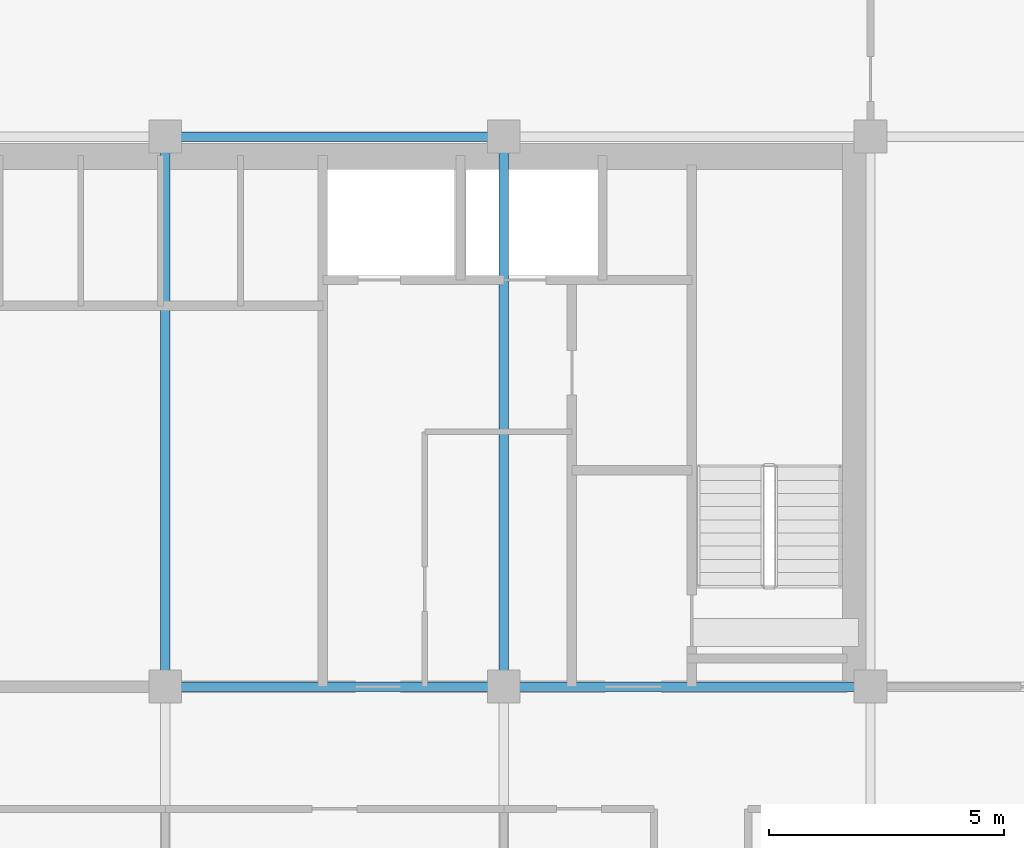
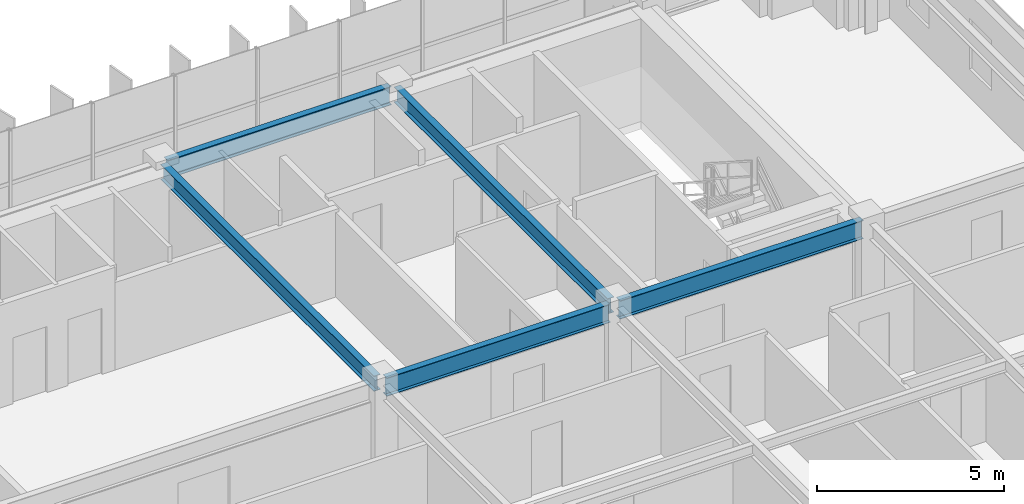
# One storey, part 8 of 20: 5 beams.
"""IFC4 building model written with IfcOpenShell, lengths in metres."""

from ifc_helpers import new_model, si_unit, direction, frame, origin, origin_2d, place, context, subcontext, project, spatial, i_section, extrude, source, transform, mapped, material, material_profile, profile_set, type_object, element, save


model = new_model("IFC4")

# Units and contexts
model_context = context("Model", 3, precision=1e-05, world=origin(), true_north=direction((0.0, 1.0)))
body_context = subcontext(model_context, "Body", "Model", "MODEL_VIEW")
ifc_project = project(units=[si_unit("LENGTHUNIT", "METRE"), si_unit("AREAUNIT", "SQUARE_METRE"), si_unit("VOLUMEUNIT", "CUBIC_METRE"), si_unit("PLANEANGLEUNIT", "RADIAN"), si_unit("MASSUNIT", "GRAM", prefix="KILO")], contexts=[model_context])

# Site, building, storey
site_placement = place(None, origin())
site = spatial("IfcSite", under=ifc_project, at=site_placement, CompositionType="ELEMENT")
building_placement = place(site_placement, origin())
building = spatial("IfcBuilding", under=site, at=building_placement, Name="Trelvane Seafront Commons", CompositionType="ELEMENT")
storey_placement = place(building_placement, frame((0.0, 0.0, 150.10009765625)))
storey = spatial("IfcBuildingStorey", under=building, at=storey_placement, Name="L39", CompositionType="ELEMENT", Elevation=150.10009765625)

# Beams
ifc_material = material(Name="Steel SM355 (S355)", Category="steel")
ifc_material_profile_1 = material_profile(ifc_material, i_section(OverallWidth=0.199951171875, OverallDepth=0.5, WebThickness=0.010009765625, FlangeThickness=0.01611328125, at=origin_2d()), Name="H-500x200x10x16")
ifc_profile_set_1 = profile_set([ifc_material_profile_1], Name="Steel SM355 (S355)")
beam_type_1 = type_object("IfcBeamType", Name="STR-BM-H500", PredefinedType="BEAM", material=ifc_profile_set_1)
shared_shape_1 = source(origin(), body_context, "Body", "SweptSolid", [
    extrude(i_section(OverallWidth=0.199951171875, OverallDepth=0.5, WebThickness=0.010009765625, FlangeThickness=0.01611328125, at=origin_2d()), origin(), (0.0, 0.0, 1.0), 11.39990234375),
])
for number, where, z_axis, x_axis, name in (
    (1, (43.800048828125, 33.550048828125, 3.099853515625), (0.0, 1.0, 0.0), (-1.0, 0.0, 0.0), "L39 Primary Girder G-43"),
    (2, (51.0, 33.550048828125, 3.099853515625), (0.0, 1.0, 0.0), (-1.0, 0.0, 0.0), "L39 Primary Girder G-46"),
):
    element("IfcBeam", number, at=place(storey_placement, frame(where, z_axis=z_axis, x_axis=x_axis)), inside=storey, type_object=beam_type_1, Name=name, PredefinedType="BEAM", context=body_context, shape_type="MappedRepresentation", body=[
        mapped(shared_shape_1, transform((0.0, 0.0, 0.0), x_axis=(1.0, 0.0, 0.0), y_axis=(0.0, 1.0, 0.0), z_axis=(0.0, 0.0, 1.0), scale=1.0)),
    ])
ifc_material_profile_2 = material_profile(ifc_material, i_section(OverallWidth=0.199951171875, OverallDepth=0.60009765625, WebThickness=0.010986328125, FlangeThickness=0.01708984375, at=origin_2d()), Name="H-600x200x11x17")
ifc_profile_set_2 = profile_set([ifc_material_profile_2], Name="Steel SM355 (S355)")
beam_type_2 = type_object("IfcBeamType", Name="STR-SPD-H600", PredefinedType="SPANDREL", material=ifc_profile_set_2)
shared_shape_2 = source(origin(), body_context, "Body", "SweptSolid", [
    extrude(i_section(OverallWidth=0.199951171875, OverallDepth=0.60009765625, WebThickness=0.010986328125, FlangeThickness=0.01708984375, at=origin_2d()), origin(), (0.0, 0.0, 1.0), 7.5),
])
beam_placement = place(storey_placement, frame((51.14990234375, 33.39990234375, 3.0498046875), z_axis=(1.0, 0.0, 0.0), x_axis=(0.0, 1.0, 0.0)))
element("IfcBeam", 3, at=beam_placement, inside=storey, type_object=beam_type_2, Name="L39 Primary Girder G-20", PredefinedType="SPANDREL", context=body_context, shape_type="MappedRepresentation", body=[
    mapped(shared_shape_2, transform((0.0, 0.0, 0.0), x_axis=(1.0, 0.0, 0.0), y_axis=(0.0, 1.0, 0.0), z_axis=(0.0, 0.0, 1.0), scale=1.0)),
])
shared_shape_3 = source(origin(), body_context, "Body", "SweptSolid", [
    extrude(i_section(OverallWidth=0.199951171875, OverallDepth=0.60009765625, WebThickness=0.010986328125, FlangeThickness=0.01708984375, at=origin_2d()), origin(), (0.0, 0.0, 1.0), 6.900146484375),
])
for number, where, z_axis, x_axis, name in (
    (4, (43.949951171875, 33.39990234375, 3.0498046875), (1.0, 0.0, 0.0), (0.0, 1.0, 0.0), "L39 Primary Girder G-19"),
    (5, (43.949951171875, 45.10009765625, 3.0498046875), (1.0, 0.0, 0.0), (0.0, 1.0, 0.0), "L39 Primary Girder G-26"),
):
    element("IfcBeam", number, at=place(storey_placement, frame(where, z_axis=z_axis, x_axis=x_axis)), inside=storey, type_object=beam_type_2, Name=name, PredefinedType="SPANDREL", context=body_context, shape_type="MappedRepresentation", body=[
        mapped(shared_shape_3, transform((0.0, 0.0, 0.0), x_axis=(1.0, 0.0, 0.0), y_axis=(0.0, 1.0, 0.0), z_axis=(0.0, 0.0, 1.0), scale=1.0)),
    ])

save(model, "model.ifc")
